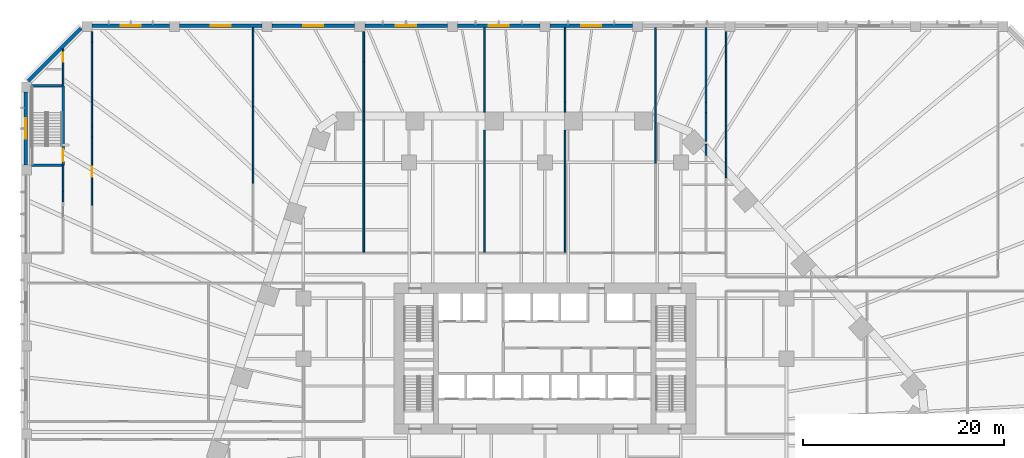
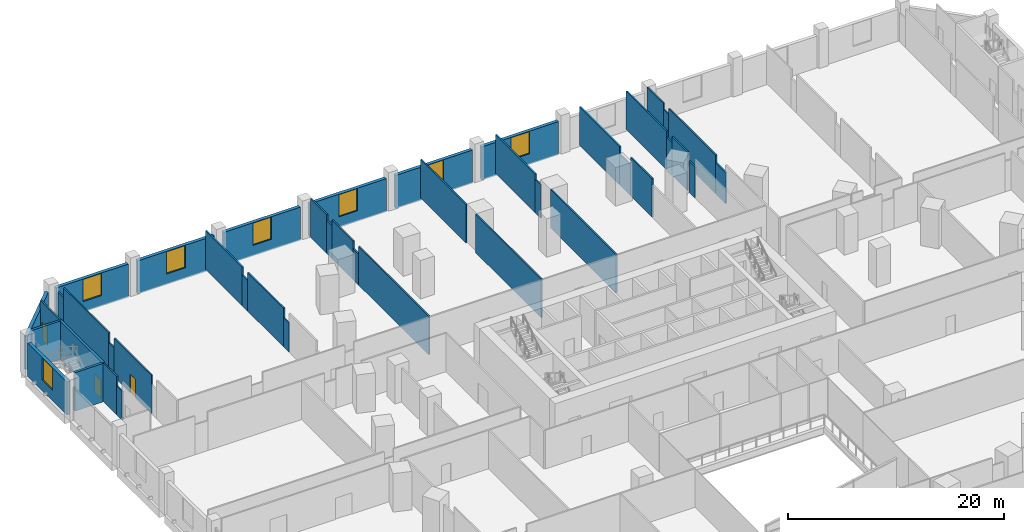
# One storey, part 21 of 33: 43 walls, 7 windows, 3 doors, 10 openings.
"""IFC4 building model written with IfcOpenShell, lengths in metres."""

from ifc_helpers import new_model, si_unit, direction, frame, frame_2d, origin, place, context, subcontext, project, spatial, rectangle, extrude, material, layer, layer_set, type_object, element, fill, save


model = new_model("IFC4")

# Units and contexts
model_context = context("Model", 3, precision=1e-05, world=origin(), true_north=direction((0.0, 1.0)))
body_context = subcontext(model_context, "Body", "Model", "MODEL_VIEW")
ifc_project = project(units=[si_unit("LENGTHUNIT", "METRE"), si_unit("AREAUNIT", "SQUARE_METRE"), si_unit("VOLUMEUNIT", "CUBIC_METRE"), si_unit("PLANEANGLEUNIT", "RADIAN"), si_unit("MASSUNIT", "GRAM", prefix="KILO")], contexts=[model_context])

# Site, building, storey
site_placement = place(None, origin())
site = spatial("IfcSite", under=ifc_project, at=site_placement, CompositionType="ELEMENT")
building_placement = place(site_placement, origin())
building = spatial("IfcBuilding", under=site, at=building_placement, Name="Isthmus Gate Tower", CompositionType="ELEMENT")
storey_placement = place(building_placement, frame((0.0, 0.0, 31.5)))
storey = spatial("IfcBuildingStorey", under=building, at=storey_placement, Name="L05", CompositionType="ELEMENT", Elevation=31.5)

# Walls
ifc_material_1 = material(Name="Fire-rated gypsum board on steel studs", Category="steel")
ifc_layer_1 = layer(ifc_material_1, 0.14990234375)
ifc_layer_set_1 = layer_set([ifc_layer_1], Name="Fire-rated partition 150 EI 60")
wall_type_1 = type_object("IfcWallType", Name="Fire-rated partition 150 EI 60", PredefinedType="PARTITIONING", material=ifc_layer_set_1)
wall_1_placement = place(storey_placement, frame((-47.875, 23.109375, 0.0), z_axis=(0.0, 0.0, 1.0), x_axis=(0.0, 1.0, 0.0)))
element("IfcWall", 1, at=wall_1_placement, inside=storey, type_object=wall_type_1, Name="Fire-rated partition", PredefinedType="PARTITIONING", context=body_context, shape_type="SweptSolid", body=[
    extrude(rectangle(XDim=1.0, YDim=0.14990234375, at=frame_2d((0.5, 0.0))), origin(), (0.0, 0.0, 1.0), 3.260986328125),
])
wall_2_placement = place(storey_placement, frame((-47.875, 24.109375, 0.0), z_axis=(0.0, 0.0, 1.0), x_axis=(0.0, 1.0, 0.0)))
element("IfcWall", 2, at=wall_2_placement, inside=storey, type_object=wall_type_1, Name="Fire-rated partition", PredefinedType="PARTITIONING", context=body_context, shape_type="SweptSolid", body=[
    extrude(rectangle(XDim=2.590576171875, YDim=0.14990234375, at=frame_2d((1.29541015625, 0.0))), origin(), (0.0, 0.0, 1.0), 4.35009765625),
])

# Wall, opening, door
wall_3_placement = place(storey_placement, frame((-47.875, 34.60009765625, 0.0), z_axis=(0.0, 0.0, 1.0), x_axis=(0.0, 1.0, 0.0)))
wall_3 = element("IfcWall", 3, at=wall_3_placement, inside=storey, type_object=wall_type_1, Name="Fire-rated partition", PredefinedType="PARTITIONING", context=body_context, shape_type="SweptSolid", body=[
    extrude(rectangle(XDim=3.676513671875, YDim=0.14990234375, at=frame_2d((1.83837890625, 0.0))), origin(), (0.0, 0.0, 1.0), 4.35009765625),
])
opening_1_placement = place(wall_3_placement, frame((2.39990234375, 0.0, 0.0)))
opening_1 = element("IfcOpeningElement", 4, at=opening_1_placement, cuts=wall_3, Name="Opening DP05-03", PredefinedType="OPENING", context=body_context, shape_type="SweptSolid", body=[
    extrude(rectangle(XDim=0.89990234375, YDim=2.10009765625, at=frame_2d((0.449951171875, 1.050048828125))), frame((0.0, 0.0849609375, 0.0), z_axis=(0.0, -1.0, 0.0), x_axis=(1.0, 0.0, 0.0)), (0.0, 0.0, 1.0), 0.169921875),
])
ifc_material_2 = material(Name="Steel fire door with intumescent seals", Category="steel")
door_type_1 = type_object("IfcDoorType", Name="Fire door 900 x 2100", OperationType="SINGLE_SWING_LEFT", PredefinedType="DOOR", material=ifc_material_2)
door_1_placement = place(opening_1_placement, origin())
door_1 = element("IfcDoor", 5, at=door_1_placement, inside=storey, type_object=door_type_1, Name="Door DP05-03", OperationType="SINGLE_SWING_LEFT", OverallHeight=2.10009765625, OverallWidth=0.89990234375, PredefinedType="DOOR", context=body_context, shape_type="SweptSolid", body=[
    extrude(rectangle(XDim=0.89990234375, YDim=2.10009765625, at=frame_2d((0.449951171875, 1.050048828125))), frame((0.0, 0.02490234375, 0.0), z_axis=(0.0, -1.0, 0.0), x_axis=(1.0, 0.0, 0.0)), (0.0, 0.0, 1.0), 0.050048828125),
])
fill(opening_1, door_1)

wall_4_placement = place(storey_placement, frame((-45.0, 22.69140625, 0.0), z_axis=(0.0, 0.0, 1.0), x_axis=(0.0, 1.0, 0.0)))
wall_4 = element("IfcWall", 6, at=wall_4_placement, inside=storey, type_object=wall_type_1, Name="Fire-rated partition", PredefinedType="PARTITIONING", context=body_context, shape_type="SweptSolid", body=[
    extrude(rectangle(XDim=6.876708984375, YDim=0.14990234375, at=frame_2d((3.4384765625, 0.0))), origin(), (0.0, 0.0, 1.0), 4.35009765625),
])
opening_2_placement = place(wall_4_placement, frame((2.89990234375, 0.0, 0.0)))
opening_2 = element("IfcOpeningElement", 7, at=opening_2_placement, cuts=wall_4, Name="Opening DP05-27", PredefinedType="OPENING", context=body_context, shape_type="SweptSolid", body=[
    extrude(rectangle(XDim=1.0, YDim=2.10009765625, at=frame_2d((0.5, 1.050048828125))), frame((0.0, 0.0849609375, 0.0), z_axis=(0.0, -1.0, 0.0), x_axis=(1.0, 0.0, 0.0)), (0.0, 0.0, 1.0), 0.169921875),
])
ifc_material_3 = material(Name="Steel fire door with intumescent seals", Category="steel")
door_type_2 = type_object("IfcDoorType", Name="Fire door 1000 x 2100", OperationType="SINGLE_SWING_LEFT", PredefinedType="DOOR", material=ifc_material_3)
door_2_placement = place(opening_2_placement, origin())
door_2 = element("IfcDoor", 8, at=door_2_placement, inside=storey, type_object=door_type_2, Name="Door DP05-27", OperationType="SINGLE_SWING_LEFT", OverallHeight=2.10009765625, OverallWidth=1.0, PredefinedType="DOOR", context=body_context, shape_type="SweptSolid", body=[
    extrude(rectangle(XDim=1.0, YDim=2.10009765625, at=frame_2d((0.5, 1.050048828125))), frame((0.0, 0.02490234375, 0.0), z_axis=(0.0, -1.0, 0.0), x_axis=(1.0, 0.0, 0.0)), (0.0, 0.0, 1.0), 0.050048828125),
])
fill(opening_2, door_2)

# Walls
wall_5_placement = place(storey_placement, frame((-45.0, 29.568115234375, 0.0), z_axis=(0.0, 0.0, 1.0), x_axis=(0.0, 1.0, 0.0)))
element("IfcWall", 9, at=wall_5_placement, inside=storey, type_object=wall_type_1, Name="Fire-rated partition", PredefinedType="PARTITIONING", context=body_context, shape_type="SweptSolid", body=[
    extrude(rectangle(XDim=1.0, YDim=0.14990234375, at=frame_2d((0.5, 0.0))), origin(), (0.0, 0.0, 1.0), 3.260986328125),
])
wall_6_placement = place(storey_placement, frame((-45.0, 30.568115234375, 0.0), z_axis=(0.0, 0.0, 1.0), x_axis=(0.0, 1.0, 0.0)))
element("IfcWall", 10, at=wall_6_placement, inside=storey, type_object=wall_type_1, Name="Fire-rated partition", PredefinedType="PARTITIONING", context=body_context, shape_type="SweptSolid", body=[
    extrude(rectangle(XDim=8.395751953125, YDim=0.14990234375, at=frame_2d((4.19775390625, 0.0))), origin(), (0.0, 0.0, 1.0), 4.35009765625),
])
wall_7_placement = place(storey_placement, frame((-45.0, 38.9638671875, 0.0), z_axis=(0.0, 0.0, 1.0), x_axis=(0.0, 1.0, 0.0)))
element("IfcWall", 11, at=wall_7_placement, inside=storey, type_object=wall_type_1, Name="Fire-rated partition", PredefinedType="PARTITIONING", context=body_context, shape_type="SweptSolid", body=[
    extrude(rectangle(XDim=1.0361328125, YDim=0.14990234375, at=frame_2d((0.51806640625, 0.0))), origin(), (0.0, 0.0, 1.0), 3.260986328125),
])

# Wall, opening, window
ifc_material_4 = material(Name="Precast concrete C40/50, limestone-faced", Category="masonry")
ifc_layer_2 = layer(ifc_material_4, 0.35009765625)
ifc_layer_set_2 = layer_set([ifc_layer_2], Name="PODIUM CLADDING WALL 350")
wall_type_2 = type_object("IfcWallType", Name="PODIUM CLADDING WALL 350", PredefinedType="SOLIDWALL", material=ifc_layer_set_2)
wall_8_placement = place(storey_placement, frame((8.699951171875, 40.574951171875, -0.300048828125), z_axis=(0.0, 0.0, 1.0), x_axis=(-1.0, 0.0, 0.0)))
wall_8 = element("IfcWall", 12, at=wall_8_placement, inside=storey, type_object=wall_type_2, Name="PODIUM WALL", PredefinedType="SOLIDWALL", context=body_context, shape_type="SweptSolid", body=[
    extrude(rectangle(XDim=8.199951171875, YDim=0.35009765625, at=frame_2d((4.10009765625, 0.0))), origin(), (0.0, 0.0, 1.0), 3.75),
])
opening_3_placement = place(wall_8_placement, frame((3.10009765625, 0.0, 1.199951171875)))
opening_3 = element("IfcOpeningElement", 13, at=opening_3_placement, cuts=wall_8, Name="Opening W110", PredefinedType="OPENING", context=body_context, shape_type="SweptSolid", body=[
    extrude(rectangle(XDim=2.0, YDim=2.5, at=frame_2d((1.0, 1.25))), frame((0.0, 0.18505859375, 0.0), z_axis=(0.0, -1.0, 0.0), x_axis=(1.0, 0.0, 0.0)), (0.0, 0.0, 1.0), 0.3701171875),
])
ifc_material_5 = material(Name="Aluminium, pale champagne anodised, laminated glass", Category="aluminium")
window_type = type_object("IfcWindowType", Name="PODIUM SLOT WINDOW 2000 X 2500", PartitioningType="SINGLE_PANEL", PredefinedType="WINDOW", material=ifc_material_5)
window_1_placement = place(opening_3_placement, origin())
window_1 = element("IfcWindow", 14, at=window_1_placement, inside=storey, type_object=window_type, Name="SLOT WINDOW", OverallHeight=2.5, OverallWidth=2.0, PartitioningType="SINGLE_PANEL", PredefinedType="WINDOW", context=body_context, shape_type="SweptSolid", body=[
    extrude(rectangle(XDim=2.0, YDim=2.5, at=frame_2d((1.0, 1.25))), frame((0.0, 0.030029296875, 0.0), z_axis=(0.0, -1.0, 0.0), x_axis=(1.0, 0.0, 0.0)), (0.0, 0.0, 1.0), 0.06005859375),
])
fill(opening_3, window_1)

wall_9_placement = place(storey_placement, frame((-0.5, 40.574951171875, -0.300048828125), z_axis=(0.0, 0.0, 1.0), x_axis=(-1.0, 0.0, 0.0)))
wall_9 = element("IfcWall", 15, at=wall_9_placement, inside=storey, type_object=wall_type_2, Name="PODIUM WALL", PredefinedType="SOLIDWALL", context=body_context, shape_type="SweptSolid", body=[
    extrude(rectangle(XDim=8.199951171875, YDim=0.35009765625, at=frame_2d((4.10009765625, 0.0))), origin(), (0.0, 0.0, 1.0), 3.75),
])
opening_4_placement = place(wall_9_placement, frame((3.10009765625, 0.0, 1.199951171875)))
opening_4 = element("IfcOpeningElement", 16, at=opening_4_placement, cuts=wall_9, Name="Opening W111", PredefinedType="OPENING", context=body_context, shape_type="SweptSolid", body=[
    extrude(rectangle(XDim=2.0, YDim=2.5, at=frame_2d((1.0, 1.25))), frame((0.0, 0.18505859375, 0.0), z_axis=(0.0, -1.0, 0.0), x_axis=(1.0, 0.0, 0.0)), (0.0, 0.0, 1.0), 0.3701171875),
])
window_2_placement = place(opening_4_placement, origin())
window_2 = element("IfcWindow", 17, at=window_2_placement, inside=storey, type_object=window_type, Name="SLOT WINDOW", OverallHeight=2.5, OverallWidth=2.0, PartitioningType="SINGLE_PANEL", PredefinedType="WINDOW", context=body_context, shape_type="SweptSolid", body=[
    extrude(rectangle(XDim=2.0, YDim=2.5, at=frame_2d((1.0, 1.25))), frame((0.0, 0.030029296875, 0.0), z_axis=(0.0, -1.0, 0.0), x_axis=(1.0, 0.0, 0.0)), (0.0, 0.0, 1.0), 0.06005859375),
])
fill(opening_4, window_2)

wall_10_placement = place(storey_placement, frame((-9.699951171875, 40.574951171875, -0.300048828125), z_axis=(0.0, 0.0, 1.0), x_axis=(-1.0, 0.0, 0.0)))
wall_10 = element("IfcWall", 18, at=wall_10_placement, inside=storey, type_object=wall_type_2, Name="PODIUM WALL", PredefinedType="SOLIDWALL", context=body_context, shape_type="SweptSolid", body=[
    extrude(rectangle(XDim=8.199951171875, YDim=0.35009765625, at=frame_2d((4.10009765625, 0.0))), origin(), (0.0, 0.0, 1.0), 3.75),
])
opening_5_placement = place(wall_10_placement, frame((3.10009765625, 0.0, 1.199951171875)))
opening_5 = element("IfcOpeningElement", 19, at=opening_5_placement, cuts=wall_10, Name="Opening W112", PredefinedType="OPENING", context=body_context, shape_type="SweptSolid", body=[
    extrude(rectangle(XDim=2.0, YDim=2.5, at=frame_2d((1.0, 1.25))), frame((0.0, 0.18505859375, 0.0), z_axis=(0.0, -1.0, 0.0), x_axis=(1.0, 0.0, 0.0)), (0.0, 0.0, 1.0), 0.3701171875),
])
window_3_placement = place(opening_5_placement, origin())
window_3 = element("IfcWindow", 20, at=window_3_placement, inside=storey, type_object=window_type, Name="SLOT WINDOW", OverallHeight=2.5, OverallWidth=2.0, PartitioningType="SINGLE_PANEL", PredefinedType="WINDOW", context=body_context, shape_type="SweptSolid", body=[
    extrude(rectangle(XDim=2.0, YDim=2.5, at=frame_2d((1.0, 1.25))), frame((0.0, 0.030029296875, 0.0), z_axis=(0.0, -1.0, 0.0), x_axis=(1.0, 0.0, 0.0)), (0.0, 0.0, 1.0), 0.06005859375),
])
fill(opening_5, window_3)

wall_11_placement = place(storey_placement, frame((-18.89990234375, 40.574951171875, -0.300048828125), z_axis=(0.0, 0.0, 1.0), x_axis=(-1.0, 0.0, 0.0)))
wall_11 = element("IfcWall", 21, at=wall_11_placement, inside=storey, type_object=wall_type_2, Name="PODIUM WALL", PredefinedType="SOLIDWALL", context=body_context, shape_type="SweptSolid", body=[
    extrude(rectangle(XDim=8.2001953125, YDim=0.35009765625, at=frame_2d((4.10009765625, 0.0))), origin(), (0.0, 0.0, 1.0), 3.75),
])
opening_6_placement = place(wall_11_placement, frame((3.10009765625, 0.0, 1.199951171875)))
opening_6 = element("IfcOpeningElement", 22, at=opening_6_placement, cuts=wall_11, Name="Opening W113", PredefinedType="OPENING", context=body_context, shape_type="SweptSolid", body=[
    extrude(rectangle(XDim=2.0, YDim=2.5, at=frame_2d((1.0, 1.25))), frame((0.0, 0.18505859375, 0.0), z_axis=(0.0, -1.0, 0.0), x_axis=(1.0, 0.0, 0.0)), (0.0, 0.0, 1.0), 0.3701171875),
])
window_4_placement = place(opening_6_placement, origin())
window_4 = element("IfcWindow", 23, at=window_4_placement, inside=storey, type_object=window_type, Name="SLOT WINDOW", OverallHeight=2.5, OverallWidth=2.0, PartitioningType="SINGLE_PANEL", PredefinedType="WINDOW", context=body_context, shape_type="SweptSolid", body=[
    extrude(rectangle(XDim=2.0, YDim=2.5, at=frame_2d((1.0, 1.25))), frame((0.0, 0.030029296875, 0.0), z_axis=(0.0, -1.0, 0.0), x_axis=(1.0, 0.0, 0.0)), (0.0, 0.0, 1.0), 0.06005859375),
])
fill(opening_6, window_4)

wall_12_placement = place(storey_placement, frame((-28.10009765625, 40.574951171875, -0.300048828125), z_axis=(0.0, 0.0, 1.0), x_axis=(-1.0, 0.0, 0.0)))
wall_12 = element("IfcWall", 24, at=wall_12_placement, inside=storey, type_object=wall_type_2, Name="PODIUM WALL", PredefinedType="SOLIDWALL", context=body_context, shape_type="SweptSolid", body=[
    extrude(rectangle(XDim=8.199951171875, YDim=0.35009765625, at=frame_2d((4.10009765625, 0.0))), origin(), (0.0, 0.0, 1.0), 3.75),
])
opening_7_placement = place(wall_12_placement, frame((3.10009765625, 0.0, 1.199951171875)))
opening_7 = element("IfcOpeningElement", 25, at=opening_7_placement, cuts=wall_12, Name="Opening W114", PredefinedType="OPENING", context=body_context, shape_type="SweptSolid", body=[
    extrude(rectangle(XDim=2.0, YDim=2.5, at=frame_2d((1.0, 1.25))), frame((0.0, 0.18505859375, 0.0), z_axis=(0.0, -1.0, 0.0), x_axis=(1.0, 0.0, 0.0)), (0.0, 0.0, 1.0), 0.3701171875),
])
window_5_placement = place(opening_7_placement, origin())
window_5 = element("IfcWindow", 26, at=window_5_placement, inside=storey, type_object=window_type, Name="SLOT WINDOW", OverallHeight=2.5, OverallWidth=2.0, PartitioningType="SINGLE_PANEL", PredefinedType="WINDOW", context=body_context, shape_type="SweptSolid", body=[
    extrude(rectangle(XDim=2.0, YDim=2.5, at=frame_2d((1.0, 1.25))), frame((0.0, 0.030029296875, 0.0), z_axis=(0.0, -1.0, 0.0), x_axis=(1.0, 0.0, 0.0)), (0.0, 0.0, 1.0), 0.06005859375),
])
fill(opening_7, window_5)

wall_13_placement = place(storey_placement, frame((-37.300048828125, 40.574951171875, -0.300048828125), z_axis=(0.0, 0.0, 1.0), x_axis=(-1.0, 0.0, 0.0)))
wall_13 = element("IfcWall", 27, at=wall_13_placement, inside=storey, type_object=wall_type_2, Name="PODIUM WALL", PredefinedType="SOLIDWALL", context=body_context, shape_type="SweptSolid", body=[
    extrude(rectangle(XDim=7.699951171875, YDim=0.35009765625, at=frame_2d((3.85009765625, 0.0))), origin(), (0.0, 0.0, 1.0), 3.75),
])
opening_8_placement = place(wall_13_placement, frame((2.85009765625, 0.0, 1.199951171875)))
opening_8 = element("IfcOpeningElement", 28, at=opening_8_placement, cuts=wall_13, Name="Opening W115", PredefinedType="OPENING", context=body_context, shape_type="SweptSolid", body=[
    extrude(rectangle(XDim=2.0, YDim=2.5, at=frame_2d((1.0, 1.25))), frame((0.0, 0.18505859375, 0.0), z_axis=(0.0, -1.0, 0.0), x_axis=(1.0, 0.0, 0.0)), (0.0, 0.0, 1.0), 0.3701171875),
])
window_6_placement = place(opening_8_placement, origin())
window_6 = element("IfcWindow", 29, at=window_6_placement, inside=storey, type_object=window_type, Name="SLOT WINDOW", OverallHeight=2.5, OverallWidth=2.0, PartitioningType="SINGLE_PANEL", PredefinedType="WINDOW", context=body_context, shape_type="SweptSolid", body=[
    extrude(rectangle(XDim=2.0, YDim=2.5, at=frame_2d((1.0, 1.25))), frame((0.0, 0.030029296875, 0.0), z_axis=(0.0, -1.0, 0.0), x_axis=(1.0, 0.0, 0.0)), (0.0, 0.0, 1.0), 0.06005859375),
])
fill(opening_8, window_6)

# Wall
wall_14_placement = place(storey_placement, frame((-46.071533203125, 40.327392578125, -0.300048828125), z_axis=(0.0, 0.0, 1.0), x_axis=(-0.707106781187, -0.707106781187, 0.0)))
element("IfcWall", 30, at=wall_14_placement, inside=storey, type_object=wall_type_2, Name="PODIUM WALL", PredefinedType="SOLIDWALL", context=body_context, shape_type="SweptSolid", body=[
    extrude(rectangle(XDim=7.432861328125, YDim=0.35009765625, at=frame_2d((3.71630859375, 0.0))), origin(), (0.0, 0.0, 1.0), 3.75),
])

# Wall, opening, window
wall_15_placement = place(storey_placement, frame((-51.574951171875, 34.0, -0.300048828125), z_axis=(0.0, 0.0, 1.0), x_axis=(0.0, -1.0, 0.0)))
wall_15 = element("IfcWall", 31, at=wall_15_placement, inside=storey, type_object=wall_type_2, Name="PODIUM WALL", PredefinedType="SOLIDWALL", context=body_context, shape_type="SweptSolid", body=[
    extrude(rectangle(XDim=7.25, YDim=0.35009765625, at=frame_2d((3.625, 0.0))), origin(), (0.0, 0.0, 1.0), 3.75),
])
opening_9_placement = place(wall_15_placement, frame((2.625, 0.0, 1.199951171875)))
opening_9 = element("IfcOpeningElement", 32, at=opening_9_placement, cuts=wall_15, Name="Opening W116", PredefinedType="OPENING", context=body_context, shape_type="SweptSolid", body=[
    extrude(rectangle(XDim=2.0, YDim=2.5, at=frame_2d((1.0, 1.25))), frame((0.0, 0.18505859375, 0.0), z_axis=(0.0, -1.0, 0.0), x_axis=(1.0, 0.0, 0.0)), (0.0, 0.0, 1.0), 0.3701171875),
])
window_7_placement = place(opening_9_placement, origin())
window_7 = element("IfcWindow", 33, at=window_7_placement, inside=storey, type_object=window_type, Name="SLOT WINDOW", OverallHeight=2.5, OverallWidth=2.0, PartitioningType="SINGLE_PANEL", PredefinedType="WINDOW", context=body_context, shape_type="SweptSolid", body=[
    extrude(rectangle(XDim=2.0, YDim=2.5, at=frame_2d((1.0, 1.25))), frame((0.0, 0.030029296875, 0.0), z_axis=(0.0, -1.0, 0.0), x_axis=(1.0, 0.0, 0.0)), (0.0, 0.0, 1.0), 0.06005859375),
])
fill(opening_9, window_7)

# Walls
ifc_material_6 = material(Name="Gypsum board on cold-formed steel studs", Category="steel")
ifc_layer_3 = layer(ifc_material_6, 0.14990234375)
ifc_layer_set_3 = layer_set([ifc_layer_3])
wall_type_3 = type_object("IfcWallType", Name="Partition 150 gypsum board on steel studs", PredefinedType="PARTITIONING", material=ifc_layer_set_3)
wall_16_placement = place(storey_placement, frame((-29.0, 24.932373046875, 0.0), z_axis=(0.0, 0.0, 1.0), x_axis=(0.0, 1.0, 0.0)))
element("IfcWall", 34, at=wall_16_placement, inside=storey, type_object=wall_type_3, Name="Partition", PredefinedType="PARTITIONING", context=body_context, shape_type="SweptSolid", body=[
    extrude(rectangle(XDim=1.0, YDim=0.14990234375, at=frame_2d((0.5, 0.0))), origin(), (0.0, 0.0, 1.0), 3.260986328125),
])
wall_17_placement = place(storey_placement, frame((-29.0, 25.932373046875, 0.0), z_axis=(0.0, 0.0, 1.0), x_axis=(0.0, 1.0, 0.0)))
element("IfcWall", 35, at=wall_17_placement, inside=storey, type_object=wall_type_3, Name="Partition", PredefinedType="PARTITIONING", context=body_context, shape_type="SweptSolid", body=[
    extrude(rectangle(XDim=6.6357421875, YDim=0.14990234375, at=frame_2d((3.31787109375, 0.0))), origin(), (0.0, 0.0, 1.0), 4.35009765625),
])
wall_18_placement = place(storey_placement, frame((-29.0, 32.568115234375, 0.0), z_axis=(0.0, 0.0, 1.0), x_axis=(0.0, 1.0, 0.0)))
element("IfcWall", 36, at=wall_18_placement, inside=storey, type_object=wall_type_3, Name="Partition", PredefinedType="PARTITIONING", context=body_context, shape_type="SweptSolid", body=[
    extrude(rectangle(XDim=1.0, YDim=0.14990234375, at=frame_2d((0.5, 0.0))), origin(), (0.0, 0.0, 1.0), 3.4482421875),
])
wall_19_placement = place(storey_placement, frame((-29.0, 33.568115234375, 0.0), z_axis=(0.0, 0.0, 1.0), x_axis=(0.0, 1.0, 0.0)))
element("IfcWall", 37, at=wall_19_placement, inside=storey, type_object=wall_type_3, Name="Partition", PredefinedType="PARTITIONING", context=body_context, shape_type="SweptSolid", body=[
    extrude(rectangle(XDim=6.831787109375, YDim=0.14990234375, at=frame_2d((3.416015625, 0.0))), origin(), (0.0, 0.0, 1.0), 4.35009765625),
])
wall_20_placement = place(storey_placement, frame((-18.0, 18.074951171875, 0.0), z_axis=(0.0, 0.0, 1.0), x_axis=(0.0, 1.0, 0.0)))
element("IfcWall", 38, at=wall_20_placement, inside=storey, type_object=wall_type_3, Name="Partition", PredefinedType="PARTITIONING", context=body_context, shape_type="SweptSolid", body=[
    extrude(rectangle(XDim=13.025146484375, YDim=0.14990234375, at=frame_2d((6.5126953125, 0.0))), origin(), (0.0, 0.0, 1.0), 4.35009765625),
])
wall_21_placement = place(storey_placement, frame((-18.0, 31.10009765625, 0.0), z_axis=(0.0, 0.0, 1.0), x_axis=(0.0, 1.0, 0.0)))
element("IfcWall", 39, at=wall_21_placement, inside=storey, type_object=wall_type_3, Name="Partition", PredefinedType="PARTITIONING", context=body_context, shape_type="SweptSolid", body=[
    extrude(rectangle(XDim=1.0, YDim=0.14990234375, at=frame_2d((0.5, 0.0))), origin(), (0.0, 0.0, 1.0), 3.5),
])
wall_22_placement = place(storey_placement, frame((-18.0, 32.10009765625, 0.0), z_axis=(0.0, 0.0, 1.0), x_axis=(0.0, 1.0, 0.0)))
element("IfcWall", 40, at=wall_22_placement, inside=storey, type_object=wall_type_3, Name="Partition", PredefinedType="PARTITIONING", context=body_context, shape_type="SweptSolid", body=[
    extrude(rectangle(XDim=3.900390625, YDim=0.14990234375, at=frame_2d((1.9501953125, 0.0))), origin(), (0.0, 0.0, 1.0), 4.35009765625),
])
wall_23_placement = place(storey_placement, frame((-18.0, 36.00048828125, 0.0), z_axis=(0.0, 0.0, 1.0), x_axis=(0.0, 1.0, 0.0)))
element("IfcWall", 41, at=wall_23_placement, inside=storey, type_object=wall_type_3, Name="Partition", PredefinedType="PARTITIONING", context=body_context, shape_type="SweptSolid", body=[
    extrude(rectangle(XDim=1.0, YDim=0.14990234375, at=frame_2d((0.5, 0.0))), origin(), (0.0, 0.0, 1.0), 3.746826171875),
])
wall_24_placement = place(storey_placement, frame((-18.0, 37.00048828125, 0.0), z_axis=(0.0, 0.0, 1.0), x_axis=(0.0, 1.0, 0.0)))
element("IfcWall", 42, at=wall_24_placement, inside=storey, type_object=wall_type_3, Name="Partition", PredefinedType="PARTITIONING", context=body_context, shape_type="SweptSolid", body=[
    extrude(rectangle(XDim=2.99951171875, YDim=0.14990234375, at=frame_2d((1.499755859375, 0.0))), origin(), (0.0, 0.0, 1.0), 4.35009765625),
])
wall_25_placement = place(storey_placement, frame((-6.0, 18.074951171875, 0.0), z_axis=(0.0, 0.0, 1.0), x_axis=(0.0, 1.0, 0.0)))
element("IfcWall", 43, at=wall_25_placement, inside=storey, type_object=wall_type_3, Name="Partition", PredefinedType="PARTITIONING", context=body_context, shape_type="SweptSolid", body=[
    extrude(rectangle(XDim=12.125, YDim=0.14990234375, at=frame_2d((6.0625, 0.0))), origin(), (0.0, 0.0, 1.0), 4.35009765625),
])
wall_26_placement = place(storey_placement, frame((-6.0, 32.0, 0.0), z_axis=(0.0, 0.0, 1.0), x_axis=(0.0, 1.0, 0.0)))
element("IfcWall", 44, at=wall_26_placement, inside=storey, type_object=wall_type_3, Name="Partition", PredefinedType="PARTITIONING", context=body_context, shape_type="SweptSolid", body=[
    extrude(rectangle(XDim=8.39990234375, YDim=0.14990234375, at=frame_2d((4.199951171875, 0.0))), origin(), (0.0, 0.0, 1.0), 4.35009765625),
])
wall_27_placement = place(storey_placement, frame((2.0, 18.074951171875, 0.0), z_axis=(0.0, 0.0, 1.0), x_axis=(0.0, 1.0, 0.0)))
element("IfcWall", 45, at=wall_27_placement, inside=storey, type_object=wall_type_3, Name="Partition", PredefinedType="PARTITIONING", context=body_context, shape_type="SweptSolid", body=[
    extrude(rectangle(XDim=12.125, YDim=0.14990234375, at=frame_2d((6.0625, 0.0))), origin(), (0.0, 0.0, 1.0), 4.35009765625),
])
wall_28_placement = place(storey_placement, frame((2.0, 32.0, 0.0), z_axis=(0.0, 0.0, 1.0), x_axis=(0.0, 1.0, 0.0)))
element("IfcWall", 46, at=wall_28_placement, inside=storey, type_object=wall_type_3, Name="Partition", PredefinedType="PARTITIONING", context=body_context, shape_type="SweptSolid", body=[
    extrude(rectangle(XDim=1.02001953125, YDim=0.14990234375, at=frame_2d((0.510009765625, 0.0))), origin(), (0.0, 0.0, 1.0), 3.75),
])
wall_29_placement = place(storey_placement, frame((2.0, 33.02001953125, 0.0), z_axis=(0.0, 0.0, 1.0), x_axis=(0.0, 1.0, 0.0)))
element("IfcWall", 47, at=wall_29_placement, inside=storey, type_object=wall_type_3, Name="Partition", PredefinedType="PARTITIONING", context=body_context, shape_type="SweptSolid", body=[
    extrude(rectangle(XDim=7.3798828125, YDim=0.14990234375, at=frame_2d((3.68994140625, 0.0))), origin(), (0.0, 0.0, 1.0), 4.35009765625),
])
wall_30_placement = place(storey_placement, frame((11.0, 26.943115234375, 0.0), z_axis=(0.0, 0.0, 1.0), x_axis=(0.0, 1.0, 0.0)))
element("IfcWall", 48, at=wall_30_placement, inside=storey, type_object=wall_type_3, Name="Partition", PredefinedType="PARTITIONING", context=body_context, shape_type="SweptSolid", body=[
    extrude(rectangle(XDim=3.9853515625, YDim=0.14990234375, at=frame_2d((1.99267578125, 0.0))), origin(), (0.0, 0.0, 1.0), 4.35009765625),
])
wall_31_placement = place(storey_placement, frame((11.0, 30.928466796875, 0.0), z_axis=(0.0, 0.0, 1.0), x_axis=(0.0, 1.0, 0.0)))
element("IfcWall", 49, at=wall_31_placement, inside=storey, type_object=wall_type_3, Name="Partition", PredefinedType="PARTITIONING", context=body_context, shape_type="SweptSolid", body=[
    extrude(rectangle(XDim=2.0654296875, YDim=0.14990234375, at=frame_2d((1.03271484375, 0.0))), origin(), (0.0, 0.0, 1.0), 3.5),
])
wall_32_placement = place(storey_placement, frame((11.0, 32.993896484375, 0.0), z_axis=(0.0, 0.0, 1.0), x_axis=(0.0, 1.0, 0.0)))
element("IfcWall", 50, at=wall_32_placement, inside=storey, type_object=wall_type_3, Name="Partition", PredefinedType="PARTITIONING", context=body_context, shape_type="SweptSolid", body=[
    extrude(rectangle(XDim=7.406005859375, YDim=0.14990234375, at=frame_2d((3.703125, 0.0))), origin(), (0.0, 0.0, 1.0), 4.35009765625),
])
wall_33_placement = place(storey_placement, frame((16.0, 27.70068359375, 0.0), z_axis=(0.0, 0.0, 1.0), x_axis=(0.0, 1.0, 0.0)))
element("IfcWall", 51, at=wall_33_placement, inside=storey, type_object=wall_type_3, Name="Partition", PredefinedType="PARTITIONING", context=body_context, shape_type="SweptSolid", body=[
    extrude(rectangle(XDim=1.100341796875, YDim=0.14990234375, at=frame_2d((0.55029296875, 0.0))), origin(), (0.0, 0.0, 1.0), 3.5),
])
wall_34_placement = place(storey_placement, frame((16.0, 29.091796875, 0.0), z_axis=(0.0, 0.0, 1.0), x_axis=(0.0, 1.0, 0.0)))
element("IfcWall", 52, at=wall_34_placement, inside=storey, type_object=wall_type_3, Name="Partition", PredefinedType="PARTITIONING", context=body_context, shape_type="SweptSolid", body=[
    extrude(rectangle(XDim=2.85302734375, YDim=0.14990234375, at=frame_2d((1.426513671875, 0.0))), origin(), (0.0, 0.0, 1.0), 4.35009765625),
])
wall_35_placement = place(storey_placement, frame((16.0, 31.94482421875, 0.0), z_axis=(0.0, 0.0, 1.0), x_axis=(0.0, 1.0, 0.0)))
element("IfcWall", 53, at=wall_35_placement, inside=storey, type_object=wall_type_3, Name="Partition", PredefinedType="PARTITIONING", context=body_context, shape_type="SweptSolid", body=[
    extrude(rectangle(XDim=1.0, YDim=0.14990234375, at=frame_2d((0.5, 0.0))), origin(), (0.0, 0.0, 1.0), 3.670654296875),
])
wall_36_placement = place(storey_placement, frame((16.0, 32.94482421875, 0.0), z_axis=(0.0, 0.0, 1.0), x_axis=(0.0, 1.0, 0.0)))
element("IfcWall", 54, at=wall_36_placement, inside=storey, type_object=wall_type_3, Name="Partition", PredefinedType="PARTITIONING", context=body_context, shape_type="SweptSolid", body=[
    extrude(rectangle(XDim=7.455078125, YDim=0.14990234375, at=frame_2d((3.7275390625, 0.0))), origin(), (0.0, 0.0, 1.0), 4.35009765625),
])
wall_37_placement = place(storey_placement, frame((18.0, 25.4794921875, 0.0), z_axis=(0.0, 0.0, 1.0), x_axis=(0.0, 1.0, 0.0)))
element("IfcWall", 55, at=wall_37_placement, inside=storey, type_object=wall_type_3, Name="Partition", PredefinedType="PARTITIONING", context=body_context, shape_type="SweptSolid", body=[
    extrude(rectangle(XDim=1.857421875, YDim=0.14990234375, at=frame_2d((0.9287109375, 0.0))), origin(), (0.0, 0.0, 1.0), 3.5),
])
wall_38_placement = place(storey_placement, frame((18.0, 27.3369140625, 0.0), z_axis=(0.0, 0.0, 1.0), x_axis=(0.0, 1.0, 0.0)))
element("IfcWall", 56, at=wall_38_placement, inside=storey, type_object=wall_type_3, Name="Partition", PredefinedType="PARTITIONING", context=body_context, shape_type="SweptSolid", body=[
    extrude(rectangle(XDim=8.66357421875, YDim=0.14990234375, at=frame_2d((4.331787109375, 0.0))), origin(), (0.0, 0.0, 1.0), 4.35009765625),
])
wall_39_placement = place(storey_placement, frame((18.0, 36.00048828125, 0.0), z_axis=(0.0, 0.0, 1.0), x_axis=(0.0, 1.0, 0.0)))
element("IfcWall", 57, at=wall_39_placement, inside=storey, type_object=wall_type_3, Name="Partition", PredefinedType="PARTITIONING", context=body_context, shape_type="SweptSolid", body=[
    extrude(rectangle(XDim=1.0, YDim=0.14990234375, at=frame_2d((0.5, 0.0))), origin(), (0.0, 0.0, 1.0), 3.670654296875),
])
wall_40_placement = place(storey_placement, frame((18.0, 37.00048828125, 0.0), z_axis=(0.0, 0.0, 1.0), x_axis=(0.0, 1.0, 0.0)))
element("IfcWall", 58, at=wall_40_placement, inside=storey, type_object=wall_type_3, Name="Partition", PredefinedType="PARTITIONING", context=body_context, shape_type="SweptSolid", body=[
    extrude(rectangle(XDim=2.99951171875, YDim=0.14990234375, at=frame_2d((1.499755859375, 0.0))), origin(), (0.0, 0.0, 1.0), 4.35009765625),
])
ifc_material_7 = material(Name="Concrete f'c 40 MPa", Category="concrete")
ifc_layer_4 = layer(ifc_material_7, 0.25)
ifc_layer_set_4 = layer_set([ifc_layer_4])
wall_type_4 = type_object("IfcWallType", Name="Stair shaft wall 250 reinforced concrete", PredefinedType="SHEAR", material=ifc_layer_set_4)
for number, where, z_axis, x_axis, name in (
    (59, (-51.0, 26.699951171875, 0.0), (0.0, 0.0, 1.0), (1.0, 0.0, 0.0), "Stair shaft wall"),
    (60, (-51.0, 34.60009765625, 0.0), (0.0, 0.0, 1.0), (1.0, 0.0, 0.0), "Stair shaft wall"),
):
    element("IfcWall", number, at=place(storey_placement, frame(where, z_axis=z_axis, x_axis=x_axis)), inside=storey, type_object=wall_type_4, Name=name, PredefinedType="SHEAR", context=body_context, shape_type="SweptSolid", body=[
        extrude(rectangle(XDim=3.0, YDim=0.25, at=frame_2d((1.5, 0.0))), origin(), (0.0, 0.0, 1.0), 4.35009765625),
    ])

# Wall, opening, door
wall_41_placement = place(storey_placement, frame((-47.875, 26.699951171875, 0.0), z_axis=(0.0, 0.0, 1.0), x_axis=(0.0, 1.0, 0.0)))
wall_41 = element("IfcWall", 61, at=wall_41_placement, inside=storey, type_object=wall_type_4, Name="Stair shaft wall", PredefinedType="SHEAR", context=body_context, shape_type="SweptSolid", body=[
    extrude(rectangle(XDim=7.900146484375, YDim=0.25, at=frame_2d((3.9501953125, 0.0))), origin(), (0.0, 0.0, 1.0), 4.35009765625),
])
opening_10_placement = place(wall_41_placement, frame((0.39990234375, 0.0, 0.0)))
opening_10 = element("IfcOpeningElement", 62, at=opening_10_placement, cuts=wall_41, Name="Opening DP05-01", PredefinedType="OPENING", context=body_context, shape_type="SweptSolid", body=[
    extrude(rectangle(XDim=1.199951171875, YDim=2.10009765625, at=frame_2d((0.60009765625, 1.050048828125))), frame((0.0, 0.135009765625, 0.0), z_axis=(0.0, -1.0, 0.0), x_axis=(1.0, 0.0, 0.0)), (0.0, 0.0, 1.0), 0.27001953125),
])
ifc_material_8 = material(Name="Steel fire door with intumescent seals", Category="steel")
door_type_3 = type_object("IfcDoorType", Name="Fire door 1200 x 2100", OperationType="SINGLE_SWING_LEFT", PredefinedType="DOOR", material=ifc_material_8)
door_3_placement = place(opening_10_placement, origin())
door_3 = element("IfcDoor", 63, at=door_3_placement, inside=storey, type_object=door_type_3, Name="Door DP05-01", OperationType="SINGLE_SWING_LEFT", OverallHeight=2.10009765625, OverallWidth=1.199951171875, PredefinedType="DOOR", context=body_context, shape_type="SweptSolid", body=[
    extrude(rectangle(XDim=1.199951171875, YDim=2.10009765625, at=frame_2d((0.60009765625, 1.050048828125))), frame((0.0, 0.02490234375, 0.0), z_axis=(0.0, -1.0, 0.0), x_axis=(1.0, 0.0, 0.0)), (0.0, 0.0, 1.0), 0.050048828125),
])
fill(opening_10, door_3)

save(model, "model.ifc")
